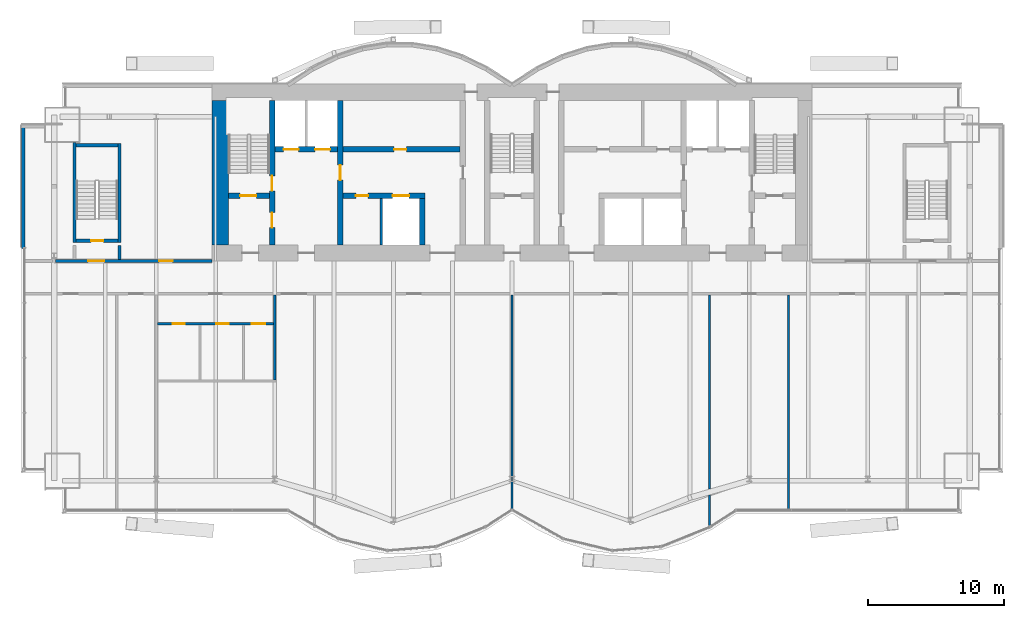
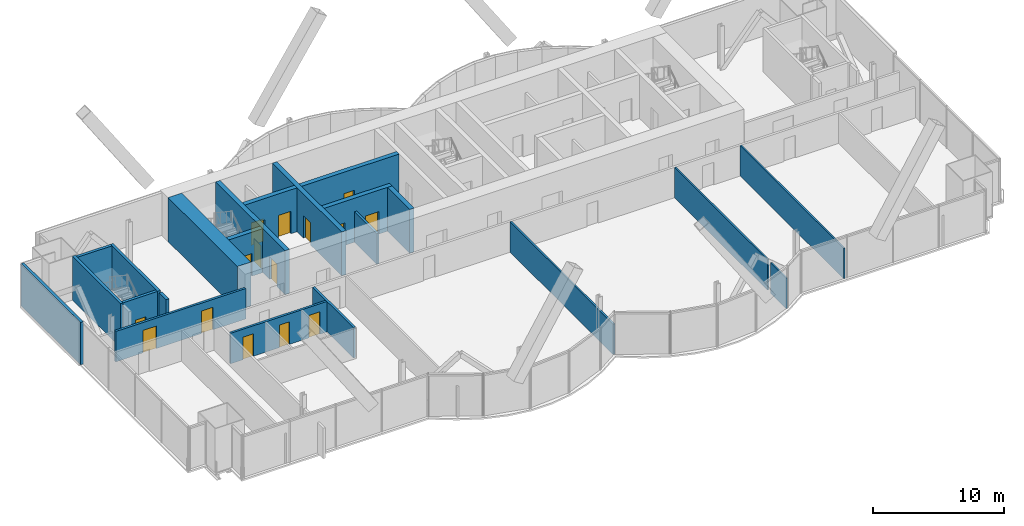
# One storey, part 14 of 20: 21 walls, 15 doors, 15 openings.
"""IFC4 building model written with IfcOpenShell, lengths in metres."""

from ifc_helpers import new_model, si_unit, direction, frame, frame_2d, origin, place, context, subcontext, project, spatial, rectangle, extrude, material, layer, layer_set, layer_usage, type_object, element, fill, save


model = new_model("IFC4")

# Units and contexts
model_context = context("Model", 3, precision=1e-05, world=origin(), true_north=direction((0.0, 1.0)))
body_context = subcontext(model_context, "Body", "Model", "MODEL_VIEW")
ifc_project = project(units=[si_unit("LENGTHUNIT", "METRE"), si_unit("AREAUNIT", "SQUARE_METRE"), si_unit("VOLUMEUNIT", "CUBIC_METRE"), si_unit("PLANEANGLEUNIT", "RADIAN"), si_unit("MASSUNIT", "GRAM", prefix="KILO")], contexts=[model_context])

# Site, building, storey
site_placement = place(None, origin())
site = spatial("IfcSite", under=ifc_project, at=site_placement, CompositionType="ELEMENT")
building_placement = place(site_placement, origin())
building = spatial("IfcBuilding", under=site, at=building_placement, Name="Bicima Exchange Tower", CompositionType="ELEMENT")
storey_placement = place(building_placement, frame((0.0, 0.0, 219.60009765625)))
storey = spatial("IfcBuildingStorey", under=building, at=storey_placement, Name="L49", CompositionType="ELEMENT", Elevation=219.60009765625)

# Wall
ifc_material_1 = material(Name="Gypsum board partition")
ifc_layer_1 = layer(ifc_material_1, 0.199951171875)
ifc_layer_set_1 = layer_set([ifc_layer_1], Name="Gypsum board partition")
wall_type_1 = type_object("IfcWallType", Name="Fire-rated gypsum partition 200 EI120", PredefinedType="PARTITIONING", material=ifc_layer_set_1)
wall_1_placement = place(storey_placement, frame((-9.60009765625, -11.800048828125, 0.0), z_axis=(0.0, 0.0, 1.0), x_axis=(0.0, 1.0, 0.0)))
element("IfcWall", 1, at=wall_1_placement, inside=storey, type_object=wall_type_1, Name="partition wall 11", PredefinedType="PARTITIONING", context=body_context, shape_type="SweptSolid", body=[
    extrude(rectangle(XDim=3.400146484375, YDim=0.199951171875, at=frame_2d((1.7001953125, 0.0))), origin(), (0.0, 0.0, 1.0), 2.840087890625),
])

# Wall, openings, doors
ifc_layer_2 = layer(ifc_material_1, 0.199951171875)
ifc_layer_set_2 = layer_set([ifc_layer_2], Name="Gypsum board partition")
wall_type_2 = type_object("IfcWallType", Name="Fire-rated gypsum partition 200 EI60", PredefinedType="PARTITIONING", material=ifc_layer_set_2)
wall_2_placement = place(storey_placement, frame((-26.0, -17.60009765625, 0.0), z_axis=(0.0, 0.0, 1.0), x_axis=(1.0, 0.0, 0.0)))
wall_2 = element("IfcWall", 2, at=wall_2_placement, inside=storey, type_object=wall_type_2, Name="partition wall 2", PredefinedType="PARTITIONING", context=body_context, shape_type="SweptSolid", body=[
    extrude(rectangle(XDim=8.5, YDim=0.199951171875, at=frame_2d((4.25, 0.0))), origin(), (0.0, 0.0, 1.0), 2.840087890625),
])
opening_1_placement = place(wall_2_placement, frame((1.10009765625, 0.0, 0.0)))
opening_1 = element("IfcOpeningElement", 3, at=opening_1_placement, cuts=wall_2, Name="Opening L49-010", PredefinedType="OPENING", context=body_context, shape_type="SweptSolid", body=[
    extrude(rectangle(XDim=0.89990234375, YDim=2.10009765625, at=frame_2d((0.449951171875, 1.050048828125))), frame((0.0, 0.11181640625, 0.0), z_axis=(0.0, -1.0, 0.0), x_axis=(1.0, 0.0, 0.0)), (0.0, 0.0, 1.0), 0.223876953125),
])
opening_2_placement = place(wall_2_placement, frame((4.300048828125, 0.0, 0.0)))
opening_2 = element("IfcOpeningElement", 4, at=opening_2_placement, cuts=wall_2, Name="Opening L49-011", PredefinedType="OPENING", context=body_context, shape_type="SweptSolid", body=[
    extrude(rectangle(XDim=0.89990234375, YDim=2.10009765625, at=frame_2d((0.449951171875, 1.050048828125))), frame((0.0, 0.11181640625, 0.0), z_axis=(0.0, -1.0, 0.0), x_axis=(1.0, 0.0, 0.0)), (0.0, 0.0, 1.0), 0.223876953125),
])
opening_3_placement = place(wall_2_placement, frame((6.89990234375, 0.0, 0.0)))
opening_3 = element("IfcOpeningElement", 5, at=opening_3_placement, cuts=wall_2, Name="Opening L49-012", PredefinedType="OPENING", context=body_context, shape_type="SweptSolid", body=[
    extrude(rectangle(XDim=1.0, YDim=2.10009765625, at=frame_2d((0.5, 1.050048828125))), frame((0.0, 0.11181640625, 0.0), z_axis=(0.0, -1.0, 0.0), x_axis=(1.0, 0.0, 0.0)), (0.0, 0.0, 1.0), 0.223876953125),
])
ifc_material_2 = material(Name="Steel fire door leaf", Category="steel")
door_type_1 = type_object("IfcDoorType", Name="Door 1000 swing FD30S", OperationType="SINGLE_SWING_LEFT", PredefinedType="DOOR", material=ifc_material_2)
door_1_placement = place(opening_3_placement, frame((1.0, 0.0, 0.0), z_axis=(0.0, 0.0, 1.0), x_axis=(-1.0, 0.0, 0.0)))
door_1 = element("IfcDoor", 6, at=door_1_placement, inside=storey, type_object=door_type_1, Name="Door", OperationType="SINGLE_SWING_RIGHT", OverallHeight=2.10009765625, OverallWidth=1.0, PredefinedType="DOOR", context=body_context, shape_type="SweptSolid", body=[
    extrude(rectangle(XDim=1.0, YDim=2.10009765625, at=frame_2d((0.5, 1.050048828125))), frame((0.0, 0.02490234375, 0.0), z_axis=(0.0, -1.0, 0.0), x_axis=(1.0, 0.0, 0.0)), (0.0, 0.0, 1.0), 0.050048828125),
])
fill(opening_3, door_1)
door_type_2 = type_object("IfcDoorType", Name="Door 900 swing FD30S", OperationType="SINGLE_SWING_LEFT", PredefinedType="DOOR", material=ifc_material_2)
door_2_placement = place(opening_1_placement, frame((0.89990234375, 0.0, 0.0), z_axis=(0.0, 0.0, 1.0), x_axis=(-1.0, 0.0, 0.0)))
door_2 = element("IfcDoor", 7, at=door_2_placement, inside=storey, type_object=door_type_2, Name="Door", OperationType="SINGLE_SWING_LEFT", OverallHeight=2.10009765625, OverallWidth=0.89990234375, PredefinedType="DOOR", context=body_context, shape_type="SweptSolid", body=[
    extrude(rectangle(XDim=0.89990234375, YDim=2.10009765625, at=frame_2d((0.449951171875, 1.050048828125))), frame((0.0, 0.02490234375, 0.0), z_axis=(0.0, -1.0, 0.0), x_axis=(1.0, 0.0, 0.0)), (0.0, 0.0, 1.0), 0.050048828125),
])
fill(opening_1, door_2)
door_3_placement = place(opening_2_placement, frame((0.89990234375, 0.0, 0.0), z_axis=(0.0, 0.0, 1.0), x_axis=(-1.0, 0.0, 0.0)))
door_3 = element("IfcDoor", 8, at=door_3_placement, inside=storey, type_object=door_type_2, Name="Door", OperationType="SINGLE_SWING_RIGHT", OverallHeight=2.10009765625, OverallWidth=0.89990234375, PredefinedType="DOOR", context=body_context, shape_type="SweptSolid", body=[
    extrude(rectangle(XDim=0.89990234375, YDim=2.10009765625, at=frame_2d((0.449951171875, 1.050048828125))), frame((0.0, 0.02490234375, 0.0), z_axis=(0.0, -1.0, 0.0), x_axis=(1.0, 0.0, 0.0)), (0.0, 0.0, 1.0), 0.050048828125),
])
fill(opening_2, door_3)

wall_3_placement = place(storey_placement, frame((-33.47998046875, -13.0, 0.0), z_axis=(0.0, 0.0, 1.0), x_axis=(1.0, 0.0, 0.0)))
wall_3 = element("IfcWall", 9, at=wall_3_placement, inside=storey, type_object=wall_type_2, Name="partition wall 5", PredefinedType="PARTITIONING", context=body_context, shape_type="SweptSolid", body=[
    extrude(rectangle(XDim=11.47998046875, YDim=0.199951171875, at=frame_2d((5.739990234375, 0.0))), origin(), (0.0, 0.0, 1.0), 2.840087890625),
])
opening_4_placement = place(wall_3_placement, frame((2.3798828125, 0.0, 0.0)))
opening_4 = element("IfcOpeningElement", 10, at=opening_4_placement, cuts=wall_3, Name="Opening L49-001", PredefinedType="OPENING", context=body_context, shape_type="SweptSolid", body=[
    extrude(rectangle(XDim=1.199951171875, YDim=2.10009765625, at=frame_2d((0.60009765625, 1.050048828125))), frame((0.0, 0.11181640625, 0.0), z_axis=(0.0, -1.0, 0.0), x_axis=(1.0, 0.0, 0.0)), (0.0, 0.0, 1.0), 0.223876953125),
])
opening_5_placement = place(wall_3_placement, frame((7.580078125, 0.0, 0.0)))
opening_5 = element("IfcOpeningElement", 11, at=opening_5_placement, cuts=wall_3, Name="Opening L49-005", PredefinedType="OPENING", context=body_context, shape_type="SweptSolid", body=[
    extrude(rectangle(XDim=1.0, YDim=2.10009765625, at=frame_2d((0.5, 1.050048828125))), frame((0.0, 0.11181640625, 0.0), z_axis=(0.0, -1.0, 0.0), x_axis=(1.0, 0.0, 0.0)), (0.0, 0.0, 1.0), 0.223876953125),
])
door_4_placement = place(opening_5_placement, origin())
door_4 = element("IfcDoor", 12, at=door_4_placement, inside=storey, type_object=door_type_1, Name="Door", OperationType="SINGLE_SWING_LEFT", OverallHeight=2.10009765625, OverallWidth=1.0, PredefinedType="DOOR", context=body_context, shape_type="SweptSolid", body=[
    extrude(rectangle(XDim=1.0, YDim=2.10009765625, at=frame_2d((0.5, 1.050048828125))), frame((0.0, 0.02490234375, 0.0), z_axis=(0.0, -1.0, 0.0), x_axis=(1.0, 0.0, 0.0)), (0.0, 0.0, 1.0), 0.050048828125),
])
fill(opening_5, door_4)
door_type_3 = type_object("IfcDoorType", Name="Door 1200 swing FD30S", OperationType="SINGLE_SWING_LEFT", PredefinedType="DOOR", material=ifc_material_2)
door_5_placement = place(opening_4_placement, origin())
door_5 = element("IfcDoor", 13, at=door_5_placement, inside=storey, type_object=door_type_3, Name="Door", OperationType="SINGLE_SWING_LEFT", OverallHeight=2.10009765625, OverallWidth=1.199951171875, PredefinedType="DOOR", context=body_context, shape_type="SweptSolid", body=[
    extrude(rectangle(XDim=1.199951171875, YDim=2.10009765625, at=frame_2d((0.60009765625, 1.050048828125))), frame((0.0, 0.02490234375, 0.0), z_axis=(0.0, -1.0, 0.0), x_axis=(1.0, 0.0, 0.0)), (0.0, 0.0, 1.0), 0.050048828125),
])
fill(opening_4, door_5)

# Walls
wall_4_placement = place(storey_placement, frame((-17.39990234375, -21.72509765625, 0.0), z_axis=(0.0, 0.0, 1.0), x_axis=(0.0, 1.0, 0.0)))
element("IfcWall", 14, at=wall_4_placement, inside=storey, type_object=wall_type_2, Name="partition wall 18", PredefinedType="PARTITIONING", context=body_context, shape_type="SweptSolid", body=[
    extrude(rectangle(XDim=6.22509765625, YDim=0.199951171875, at=frame_2d((3.112548828125, 0.0))), origin(), (0.0, 0.0, 1.0), 2.840087890625),
])
ifc_layer_3 = layer(ifc_material_1, 0.14990234375)
ifc_layer_set_3 = layer_set([ifc_layer_3], Name="Gypsum board partition")
wall_type_3 = type_object("IfcWallType", Name="Gypsum partition 150", PredefinedType="PARTITIONING", material=ifc_layer_set_3)
wall_5_placement = place(storey_placement, frame((0.0, -31.260009765625, 0.0), z_axis=(0.0, 0.0, 1.0), x_axis=(0.0, 1.0, 0.0)))
element("IfcWall", 15, at=wall_5_placement, inside=storey, type_object=wall_type_3, Name="partition wall 21", PredefinedType="PARTITIONING", context=body_context, shape_type="SweptSolid", body=[
    extrude(rectangle(XDim=15.760009765625, YDim=0.14990234375, at=frame_2d((7.8798828125, 0.0))), origin(), (0.0, 0.0, 1.0), 2.840087890625),
])
wall_6_placement = place(storey_placement, frame((14.5, -32.5400390625, 0.0), z_axis=(0.0, 0.0, 1.0), x_axis=(0.0, 1.0, 0.0)))
element("IfcWall", 16, at=wall_6_placement, inside=storey, type_object=wall_type_3, Name="partition wall 22", PredefinedType="PARTITIONING", context=body_context, shape_type="SweptSolid", body=[
    extrude(rectangle(XDim=2.3603515625, YDim=0.14990234375, at=frame_2d((1.18017578125, 0.0))), origin(), (0.0, 0.0, 1.0), 2.840087890625),
])
wall_7_placement = place(storey_placement, frame((14.5, -29.705078125, 0.0), z_axis=(0.0, 0.0, 1.0), x_axis=(0.0, 1.0, 0.0)))
element("IfcWall", 17, at=wall_7_placement, inside=storey, type_object=wall_type_3, Name="partition wall 23", PredefinedType="PARTITIONING", context=body_context, shape_type="SweptSolid", body=[
    extrude(rectangle(XDim=14.205078125, YDim=0.14990234375, at=frame_2d((7.1025390625, 0.0))), origin(), (0.0, 0.0, 1.0), 2.840087890625),
])
wall_8_placement = place(storey_placement, frame((20.300048828125, -31.300048828125, 0.0), z_axis=(0.0, 0.0, 1.0), x_axis=(0.0, 1.0, 0.0)))
element("IfcWall", 18, at=wall_8_placement, inside=storey, type_object=wall_type_3, Name="partition wall 24", PredefinedType="PARTITIONING", context=body_context, shape_type="SweptSolid", body=[
    extrude(rectangle(XDim=15.800048828125, YDim=0.14990234375, at=frame_2d((7.89990234375, 0.0))), origin(), (0.0, 0.0, 1.0), 2.840087890625),
])
ifc_material_3 = material(Name="Concrete C50/60", Category="concrete")
ifc_layer_4 = layer(ifc_material_3, 1.199951171875)
ifc_layer_set_4 = layer_set([ifc_layer_4], Name="Concrete C50/60")
wall_type_4 = type_object("IfcWallType", Name="RC core wall 1200 C50/60", PredefinedType="SHEAR", material=ifc_layer_set_4)
wall_9_placement = place(storey_placement, frame((-21.39990234375, -11.800048828125, 0.0), z_axis=(0.0, 0.0, 1.0), x_axis=(0.0, 1.0, 0.0)))
element("IfcWall", 19, at=wall_9_placement, inside=storey, type_object=wall_type_4, Name="Core wall west", PredefinedType="SHEAR", context=body_context, shape_type="SweptSolid", body=[
    extrude(rectangle(XDim=10.60009765625, YDim=1.199951171875, at=frame_2d((5.300048828125, 0.0))), origin(), (0.0, 0.0, 1.0), 4.099853515625),
])
ifc_layer_5 = layer(ifc_material_3, 0.25)
ifc_layer_set_5 = layer_set([ifc_layer_5], Name="Concrete C50/60")
wall_type_5 = type_object("IfcWallType", Name="RC core wall 250 C50/60", PredefinedType="SHEAR", material=ifc_layer_set_5)
wall_10_placement = place(storey_placement, frame((-28.800048828125, -12.89990234375, 0.0), z_axis=(0.0, 0.0, 1.0), x_axis=(0.0, 1.0, 0.0)))
element("IfcWall", 20, at=wall_10_placement, inside=storey, type_object=wall_type_5, Name="stair wall 14", PredefinedType="SHEAR", context=body_context, shape_type="SweptSolid", body=[
    extrude(rectangle(XDim=1.0498046875, YDim=0.25, at=frame_2d((0.52490234375, 0.0))), origin(), (0.0, 0.0, 1.0), 4.099853515625),
])

# Wall, opening, door
ifc_layer_6 = layer(ifc_material_3, 0.39990234375)
ifc_layer_set_6 = layer_set([ifc_layer_6], Name="Concrete C50/60")
wall_type_6 = type_object("IfcWallType", Name="RC core wall 400 C50/60", PredefinedType="SHEAR", material=ifc_layer_set_6)
wall_11_placement = place(storey_placement, frame((-20.800048828125, -8.199951171875, 0.0), z_axis=(0.0, 0.0, 1.0), x_axis=(1.0, 0.0, 0.0)))
wall_11 = element("IfcWall", 21, at=wall_11_placement, inside=storey, type_object=wall_type_6, Name="stair wall 1", PredefinedType="SHEAR", context=body_context, shape_type="SweptSolid", body=[
    extrude(rectangle(XDim=3.0, YDim=0.39990234375, at=frame_2d((1.5, 0.0))), origin(), (0.0, 0.0, 1.0), 4.099853515625),
])
opening_6_placement = place(wall_11_placement, frame((0.85009765625, 0.0, 0.0)))
opening_6 = element("IfcOpeningElement", 22, at=opening_6_placement, cuts=wall_11, Name="Opening L49-C01", PredefinedType="OPENING", context=body_context, shape_type="SweptSolid", body=[
    extrude(rectangle(XDim=1.199951171875, YDim=2.10009765625, at=frame_2d((0.60009765625, 1.050048828125))), frame((0.0, 0.2119140625, 0.0), z_axis=(0.0, -1.0, 0.0), x_axis=(1.0, 0.0, 0.0)), (0.0, 0.0, 1.0), 0.423828125),
])
door_type_4 = type_object("IfcDoorType", Name="Door 1200 swing FD60S", OperationType="SINGLE_SWING_LEFT", PredefinedType="DOOR", material=ifc_material_2)
door_6_placement = place(opening_6_placement, origin())
door_6 = element("IfcDoor", 23, at=door_6_placement, inside=storey, type_object=door_type_4, Name="Core door", OperationType="SINGLE_SWING_LEFT", OverallHeight=2.10009765625, OverallWidth=1.199951171875, PredefinedType="DOOR", context=body_context, shape_type="SweptSolid", body=[
    extrude(rectangle(XDim=1.199951171875, YDim=2.10009765625, at=frame_2d((0.60009765625, 1.050048828125))), frame((0.0, 0.02490234375, 0.0), z_axis=(0.0, -1.0, 0.0), x_axis=(1.0, 0.0, 0.0)), (0.0, 0.0, 1.0), 0.050048828125),
])
fill(opening_6, door_6)

# Wall, openings, doors
wall_12_placement = place(storey_placement, frame((-12.39990234375, -8.199951171875, 0.0), z_axis=(0.0, 0.0, 1.0), x_axis=(1.0, 0.0, 0.0)))
wall_12 = element("IfcWall", 24, at=wall_12_placement, inside=storey, type_object=wall_type_6, Name="shear wall 2", PredefinedType="SHEAR", context=body_context, shape_type="SweptSolid", body=[
    extrude(rectangle(XDim=6.0, YDim=0.39990234375, at=frame_2d((3.0, 0.0))), origin(), (0.0, 0.0, 1.0), 4.099853515625),
])
opening_7_placement = place(wall_12_placement, frame((3.64990234375, 0.0, 0.0)))
opening_7 = element("IfcOpeningElement", 25, at=opening_7_placement, cuts=wall_12, Name="Opening LD-MB1-L49", PredefinedType="OPENING", context=body_context, shape_type="SweptSolid", body=[
    extrude(rectangle(XDim=1.199951171875, YDim=2.10009765625, at=frame_2d((0.60009765625, 1.050048828125))), frame((0.0, 0.2119140625, 0.0), z_axis=(0.0, -1.0, 0.0), x_axis=(1.0, 0.0, 0.0)), (0.0, 0.0, 1.0), 0.423828125),
])
opening_8_placement = place(wall_12_placement, frame((0.949951171875, 0.0, 0.0)))
opening_8 = element("IfcOpeningElement", 26, at=opening_8_placement, cuts=wall_12, Name="Opening L49-C15", PredefinedType="OPENING", context=body_context, shape_type="SweptSolid", body=[
    extrude(rectangle(XDim=0.89990234375, YDim=2.10009765625, at=frame_2d((0.449951171875, 1.050048828125))), frame((0.0, 0.2119140625, 0.0), z_axis=(0.0, -1.0, 0.0), x_axis=(1.0, 0.0, 0.0)), (0.0, 0.0, 1.0), 0.423828125),
])
door_7_placement = place(opening_8_placement, frame((0.89990234375, 0.0, 0.0), z_axis=(0.0, 0.0, 1.0), x_axis=(-1.0, 0.0, 0.0)))
door_7 = element("IfcDoor", 27, at=door_7_placement, inside=storey, type_object=door_type_2, Name="Core door", OperationType="SINGLE_SWING_RIGHT", OverallHeight=2.10009765625, OverallWidth=0.89990234375, PredefinedType="DOOR", context=body_context, shape_type="SweptSolid", body=[
    extrude(rectangle(XDim=0.89990234375, YDim=2.10009765625, at=frame_2d((0.449951171875, 1.050048828125))), frame((0.0, 0.02490234375, 0.0), z_axis=(0.0, -1.0, 0.0), x_axis=(1.0, 0.0, 0.0)), (0.0, 0.0, 1.0), 0.050048828125),
])
fill(opening_8, door_7)
ifc_material_4 = material(Name="Stainless steel", Category="steel")
door_type_5 = type_object("IfcDoorType", Name="Lift landing door 1200 sliding", OperationType="DOUBLE_DOOR_SLIDING", PredefinedType="DOOR", material=ifc_material_4)
door_8_placement = place(opening_7_placement, origin())
door_8 = element("IfcDoor", 28, at=door_8_placement, inside=storey, type_object=door_type_5, Name="Lift landing door MB1", OperationType="DOUBLE_DOOR_SLIDING", OverallHeight=2.10009765625, OverallWidth=1.199951171875, PredefinedType="DOOR", context=body_context, shape_type="SweptSolid", body=[
    extrude(rectangle(XDim=1.199951171875, YDim=2.10009765625, at=frame_2d((0.60009765625, 1.050048828125))), frame((0.0, 0.02490234375, 0.0), z_axis=(0.0, -1.0, 0.0), x_axis=(1.0, 0.0, 0.0)), (0.0, 0.0, 1.0), 0.050048828125),
])
fill(opening_7, door_8)

wall_13_placement = place(storey_placement, frame((-17.39990234375, -4.800048828125, 0.0), z_axis=(0.0, 0.0, 1.0), x_axis=(1.0, 0.0, 0.0)))
wall_13 = element("IfcWall", 29, at=wall_13_placement, inside=storey, type_object=wall_type_6, Name="shear wall 6", PredefinedType="SHEAR", context=body_context, shape_type="SweptSolid", body=[
    extrude(rectangle(XDim=13.599853515625, YDim=0.39990234375, at=frame_2d((6.7998046875, 0.0))), origin(), (0.0, 0.0, 1.0), 4.099853515625),
])
opening_9_placement = place(wall_13_placement, frame((0.64990234375, 0.0, 0.0)))
opening_9 = element("IfcOpeningElement", 30, at=opening_9_placement, cuts=wall_13, Name="Opening LD-FF1-L49", PredefinedType="OPENING", context=body_context, shape_type="SweptSolid", body=[
    extrude(rectangle(XDim=1.10009765625, YDim=2.10009765625, at=frame_2d((0.550048828125, 1.050048828125))), frame((0.0, 0.2119140625, 0.0), z_axis=(0.0, -1.0, 0.0), x_axis=(1.0, 0.0, 0.0)), (0.0, 0.0, 1.0), 0.423828125),
])
opening_10_placement = place(wall_13_placement, frame((2.949951171875, 0.0, 0.0)))
opening_10 = element("IfcOpeningElement", 31, at=opening_10_placement, cuts=wall_13, Name="Opening LD-FF3-L49", PredefinedType="OPENING", context=body_context, shape_type="SweptSolid", body=[
    extrude(rectangle(XDim=1.10009765625, YDim=2.10009765625, at=frame_2d((0.550048828125, 1.050048828125))), frame((0.0, 0.2119140625, 0.0), z_axis=(0.0, -1.0, 0.0), x_axis=(1.0, 0.0, 0.0)), (0.0, 0.0, 1.0), 0.423828125),
])
opening_11_placement = place(wall_13_placement, frame((8.75, 0.0, 0.0)))
opening_11 = element("IfcOpeningElement", 32, at=opening_11_placement, cuts=wall_13, Name="Opening L49-C12", PredefinedType="OPENING", context=body_context, shape_type="SweptSolid", body=[
    extrude(rectangle(XDim=0.89990234375, YDim=2.10009765625, at=frame_2d((0.449951171875, 1.050048828125))), frame((0.0, 0.2119140625, 0.0), z_axis=(0.0, -1.0, 0.0), x_axis=(1.0, 0.0, 0.0)), (0.0, 0.0, 1.0), 0.423828125),
])
door_9_placement = place(opening_11_placement, origin())
door_9 = element("IfcDoor", 33, at=door_9_placement, inside=storey, type_object=door_type_2, Name="Core door", OperationType="SINGLE_SWING_RIGHT", OverallHeight=2.10009765625, OverallWidth=0.89990234375, PredefinedType="DOOR", context=body_context, shape_type="SweptSolid", body=[
    extrude(rectangle(XDim=0.89990234375, YDim=2.10009765625, at=frame_2d((0.449951171875, 1.050048828125))), frame((0.0, 0.02490234375, 0.0), z_axis=(0.0, -1.0, 0.0), x_axis=(1.0, 0.0, 0.0)), (0.0, 0.0, 1.0), 0.050048828125),
])
fill(opening_11, door_9)
door_type_6 = type_object("IfcDoorType", Name="Lift landing door 1100 sliding", OperationType="DOUBLE_DOOR_SLIDING", PredefinedType="DOOR", material=ifc_material_4)
door_10_placement = place(opening_9_placement, origin())
door_10 = element("IfcDoor", 34, at=door_10_placement, inside=storey, type_object=door_type_6, Name="Lift landing door FF1", OperationType="DOUBLE_DOOR_SLIDING", OverallHeight=2.10009765625, OverallWidth=1.10009765625, PredefinedType="DOOR", context=body_context, shape_type="SweptSolid", body=[
    extrude(rectangle(XDim=1.10009765625, YDim=2.10009765625, at=frame_2d((0.550048828125, 1.050048828125))), frame((0.0, 0.02490234375, 0.0), z_axis=(0.0, -1.0, 0.0), x_axis=(1.0, 0.0, 0.0)), (0.0, 0.0, 1.0), 0.050048828125),
])
fill(opening_9, door_10)
door_11_placement = place(opening_10_placement, origin())
door_11 = element("IfcDoor", 35, at=door_11_placement, inside=storey, type_object=door_type_6, Name="Lift landing door FF3", OperationType="DOUBLE_DOOR_SLIDING", OverallHeight=2.10009765625, OverallWidth=1.10009765625, PredefinedType="DOOR", context=body_context, shape_type="SweptSolid", body=[
    extrude(rectangle(XDim=1.10009765625, YDim=2.10009765625, at=frame_2d((0.550048828125, 1.050048828125))), frame((0.0, 0.02490234375, 0.0), z_axis=(0.0, -1.0, 0.0), x_axis=(1.0, 0.0, 0.0)), (0.0, 0.0, 1.0), 0.050048828125),
])
fill(opening_10, door_11)

wall_14_placement = place(storey_placement, frame((-17.60009765625, -11.800048828125, 0.0), z_axis=(0.0, 0.0, 1.0), x_axis=(0.0, 1.0, 0.0)))
wall_14 = element("IfcWall", 36, at=wall_14_placement, inside=storey, type_object=wall_type_6, Name="stair wall 8", PredefinedType="SHEAR", context=body_context, shape_type="SweptSolid", body=[
    extrude(rectangle(XDim=10.60009765625, YDim=0.39990234375, at=frame_2d((5.300048828125, 0.0))), origin(), (0.0, 0.0, 1.0), 4.099853515625),
])
opening_12_placement = place(wall_14_placement, frame((1.25, 0.0, 0.0)))
opening_12 = element("IfcOpeningElement", 37, at=opening_12_placement, cuts=wall_14, Name="Opening L49-C02", PredefinedType="OPENING", context=body_context, shape_type="SweptSolid", body=[
    extrude(rectangle(XDim=1.10009765625, YDim=2.10009765625, at=frame_2d((0.550048828125, 1.050048828125))), frame((0.0, 0.2119140625, 0.0), z_axis=(0.0, -1.0, 0.0), x_axis=(1.0, 0.0, 0.0)), (0.0, 0.0, 1.0), 0.423828125),
])
opening_13_placement = place(wall_14_placement, frame((3.949951171875, 0.0, 0.0)))
opening_13 = element("IfcOpeningElement", 38, at=opening_13_placement, cuts=wall_14, Name="Opening L49-C06", PredefinedType="OPENING", context=body_context, shape_type="SweptSolid", body=[
    extrude(rectangle(XDim=1.10009765625, YDim=2.10009765625, at=frame_2d((0.550048828125, 1.050048828125))), frame((0.0, 0.2119140625, 0.0), z_axis=(0.0, -1.0, 0.0), x_axis=(1.0, 0.0, 0.0)), (0.0, 0.0, 1.0), 0.423828125),
])
door_type_7 = type_object("IfcDoorType", Name="Door 1100 swing FD60S", OperationType="SINGLE_SWING_LEFT", PredefinedType="DOOR", material=ifc_material_2)
door_12_placement = place(opening_12_placement, frame((1.10009765625, 0.0, 0.0), z_axis=(0.0, 0.0, 1.0), x_axis=(-1.0, 0.0, 0.0)))
door_12 = element("IfcDoor", 39, at=door_12_placement, inside=storey, type_object=door_type_7, Name="Core door", OperationType="SINGLE_SWING_LEFT", OverallHeight=2.10009765625, OverallWidth=1.10009765625, PredefinedType="DOOR", context=body_context, shape_type="SweptSolid", body=[
    extrude(rectangle(XDim=1.10009765625, YDim=2.10009765625, at=frame_2d((0.550048828125, 1.050048828125))), frame((0.0, 0.02490234375, 0.0), z_axis=(0.0, -1.0, 0.0), x_axis=(1.0, 0.0, 0.0)), (0.0, 0.0, 1.0), 0.050048828125),
])
fill(opening_12, door_12)
door_13_placement = place(opening_13_placement, frame((1.10009765625, 0.0, 0.0), z_axis=(0.0, 0.0, 1.0), x_axis=(-1.0, 0.0, 0.0)))
door_13 = element("IfcDoor", 40, at=door_13_placement, inside=storey, type_object=door_type_7, Name="Core door", OperationType="SINGLE_SWING_LEFT", OverallHeight=2.10009765625, OverallWidth=1.10009765625, PredefinedType="DOOR", context=body_context, shape_type="SweptSolid", body=[
    extrude(rectangle(XDim=1.10009765625, YDim=2.10009765625, at=frame_2d((0.550048828125, 1.050048828125))), frame((0.0, 0.02490234375, 0.0), z_axis=(0.0, -1.0, 0.0), x_axis=(1.0, 0.0, 0.0)), (0.0, 0.0, 1.0), 0.050048828125),
])
fill(opening_13, door_13)

# Wall, opening, door
wall_15_placement = place(storey_placement, frame((-12.60009765625, -11.800048828125, 0.0), z_axis=(0.0, 0.0, 1.0), x_axis=(0.0, 1.0, 0.0)))
wall_15 = element("IfcWall", 41, at=wall_15_placement, inside=storey, type_object=wall_type_6, Name="shear wall 10", PredefinedType="SHEAR", context=body_context, shape_type="SweptSolid", body=[
    extrude(rectangle(XDim=10.60009765625, YDim=0.39990234375, at=frame_2d((5.300048828125, 0.0))), origin(), (0.0, 0.0, 1.0), 4.099853515625),
])
opening_14_placement = place(wall_15_placement, frame((4.75, 0.0, 0.0)))
opening_14 = element("IfcOpeningElement", 42, at=opening_14_placement, cuts=wall_15, Name="Opening L49-C07", PredefinedType="OPENING", context=body_context, shape_type="SweptSolid", body=[
    extrude(rectangle(XDim=1.10009765625, YDim=2.10009765625, at=frame_2d((0.550048828125, 1.050048828125))), frame((0.0, 0.2119140625, 0.0), z_axis=(0.0, -1.0, 0.0), x_axis=(1.0, 0.0, 0.0)), (0.0, 0.0, 1.0), 0.423828125),
])
door_14_placement = place(opening_14_placement, origin())
door_14 = element("IfcDoor", 43, at=door_14_placement, inside=storey, type_object=door_type_7, Name="Core door", OperationType="SINGLE_SWING_LEFT", OverallHeight=2.10009765625, OverallWidth=1.10009765625, PredefinedType="DOOR", context=body_context, shape_type="SweptSolid", body=[
    extrude(rectangle(XDim=1.10009765625, YDim=2.10009765625, at=frame_2d((0.550048828125, 1.050048828125))), frame((0.0, 0.02490234375, 0.0), z_axis=(0.0, -1.0, 0.0), x_axis=(1.0, 0.0, 0.0)), (0.0, 0.0, 1.0), 0.050048828125),
])
fill(opening_14, door_14)

# Walls
wall_16_placement = place(storey_placement, frame((-6.60009765625, -11.800048828125, 0.0), z_axis=(0.0, 0.0, 1.0), x_axis=(0.0, 1.0, 0.0)))
element("IfcWall", 44, at=wall_16_placement, inside=storey, type_object=wall_type_6, Name="shear wall 12", PredefinedType="SHEAR", context=body_context, shape_type="SweptSolid", body=[
    extrude(rectangle(XDim=3.400146484375, YDim=0.39990234375, at=frame_2d((1.7001953125, 0.0))), origin(), (0.0, 0.0, 1.0), 4.099853515625),
])
ifc_layer_7 = layer(ifc_material_3, 0.25)
ifc_layer_set_7 = layer_set([ifc_layer_7], Name="Concrete C50/60")
wall_type_7 = type_object("IfcWallType", Name="RC stair enclosure wall 250 C50/60", PredefinedType="SHEAR", material=ifc_layer_set_7)
wall_17_placement = place(storey_placement, frame((-32.10009765625, -11.625, 0.0), z_axis=(0.0, 0.0, 1.0), x_axis=(0.0, 1.0, 0.0)))
element("IfcWall", 45, at=wall_17_placement, inside=storey, type_object=wall_type_7, Name="West end exit stair wall W", PredefinedType="SHEAR", context=body_context, shape_type="SweptSolid", body=[
    extrude(rectangle(XDim=7.324951171875, YDim=0.25, at=frame_2d((3.66259765625, 0.0))), origin(), (0.0, 0.0, 1.0), 4.099853515625),
])
wall_18_placement = place(storey_placement, frame((-28.800048828125, -11.625, 0.0), z_axis=(0.0, 0.0, 1.0), x_axis=(0.0, 1.0, 0.0)))
element("IfcWall", 46, at=wall_18_placement, inside=storey, type_object=wall_type_7, Name="West end exit stair wall E", PredefinedType="SHEAR", context=body_context, shape_type="SweptSolid", body=[
    extrude(rectangle(XDim=7.25, YDim=0.25, at=frame_2d((3.625, 0.0))), origin(), (0.0, 0.0, 1.0), 4.099853515625),
])

# Wall, opening, door
wall_19_placement = place(storey_placement, frame((-31.97509765625, -11.5, 0.0), z_axis=(0.0, 0.0, 1.0), x_axis=(1.0, 0.0, 0.0)))
wall_19 = element("IfcWall", 47, at=wall_19_placement, inside=storey, type_object=wall_type_7, Name="West end exit stair wall S", PredefinedType="SHEAR", context=body_context, shape_type="SweptSolid", body=[
    extrude(rectangle(XDim=3.050048828125, YDim=0.25, at=frame_2d((1.52490234375, 0.0))), origin(), (0.0, 0.0, 1.0), 4.099853515625),
])
opening_15_placement = place(wall_19_placement, frame((1.10009765625, 0.0, 0.0)))
opening_15 = element("IfcOpeningElement", 48, at=opening_15_placement, cuts=wall_19, Name="Opening L49-002", PredefinedType="OPENING", context=body_context, shape_type="SweptSolid", body=[
    extrude(rectangle(XDim=0.89990234375, YDim=2.10009765625, at=frame_2d((0.449951171875, 1.050048828125))), frame((0.0, 0.136962890625, 0.0), z_axis=(0.0, -1.0, 0.0), x_axis=(1.0, 0.0, 0.0)), (0.0, 0.0, 1.0), 0.27392578125),
])
door_type_8 = type_object("IfcDoorType", Name="Door 900 swing FD60S", OperationType="SINGLE_SWING_LEFT", PredefinedType="DOOR", material=ifc_material_2)
door_15_placement = place(opening_15_placement, origin())
door_15 = element("IfcDoor", 49, at=door_15_placement, inside=storey, type_object=door_type_8, Name="Door", OperationType="SINGLE_SWING_LEFT", OverallHeight=2.10009765625, OverallWidth=0.89990234375, PredefinedType="DOOR", context=body_context, shape_type="SweptSolid", body=[
    extrude(rectangle(XDim=0.89990234375, YDim=2.10009765625, at=frame_2d((0.449951171875, 1.050048828125))), frame((0.0, 0.02490234375, 0.0), z_axis=(0.0, -1.0, 0.0), x_axis=(1.0, 0.0, 0.0)), (0.0, 0.0, 1.0), 0.050048828125),
])
fill(opening_15, door_15)

# Walls
wall_20_placement = place(storey_placement, frame((-31.97509765625, -4.5, 0.0), z_axis=(0.0, 0.0, 1.0), x_axis=(1.0, 0.0, 0.0)))
element("IfcWall", 50, at=wall_20_placement, inside=storey, type_object=wall_type_7, Name="West end exit stair wall N", PredefinedType="SHEAR", context=body_context, shape_type="SweptSolid", body=[
    extrude(rectangle(XDim=3.050048828125, YDim=0.25, at=frame_2d((1.52490234375, 0.0))), origin(), (0.0, 0.0, 1.0), 4.099853515625),
])
ifc_material_5 = material(Name="Concrete C40/50", Category="concrete")
ifc_layer_8 = layer(ifc_material_5, 0.25)
ifc_layer_set_8 = layer_set([ifc_layer_8], Name="Concrete C40/50")
ifc_layer_usage = layer_usage(ifc_layer_set_8, "AXIS2", "POSITIVE", -0.125)
wall_type_8 = type_object("IfcWallType", Name="Rear backup wall 250", PredefinedType="STANDARD", material=ifc_layer_set_8)
wall_21_placement = place(storey_placement, frame((-35.875, -3.0, 0.0), z_axis=(0.0, 0.0, 1.0), x_axis=(0.0, -1.0, 0.0)))
element("IfcWall", 51, at=wall_21_placement, inside=storey, type_object=wall_type_8, material=ifc_layer_usage, Name="Rear backup wall L49 23", PredefinedType="STANDARD", context=body_context, shape_type="SweptSolid", body=[
    extrude(rectangle(XDim=9.090087890625, YDim=0.25, at=frame_2d((4.544921875, 0.0))), origin(), (0.0, 0.0, 1.0), 3.949951171875),
])

save(model, "model.ifc")
